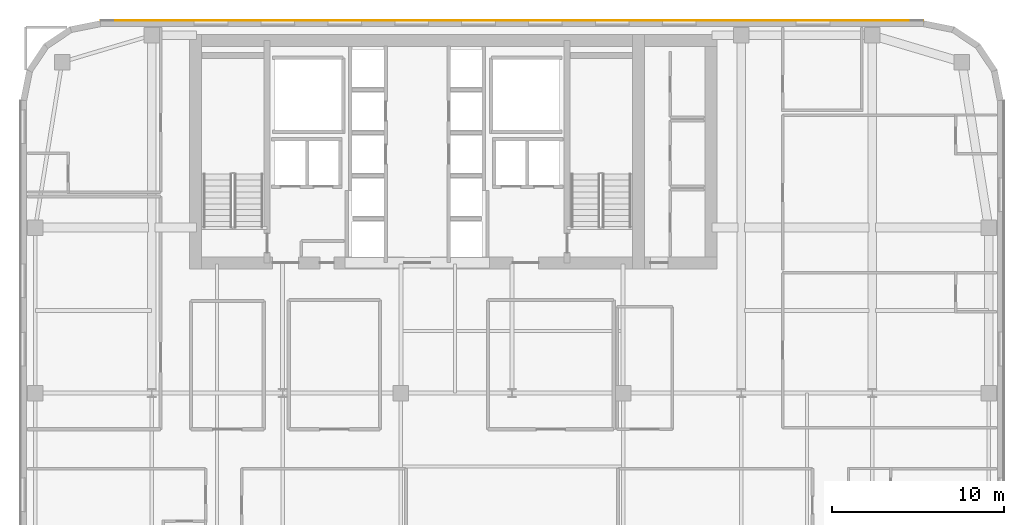
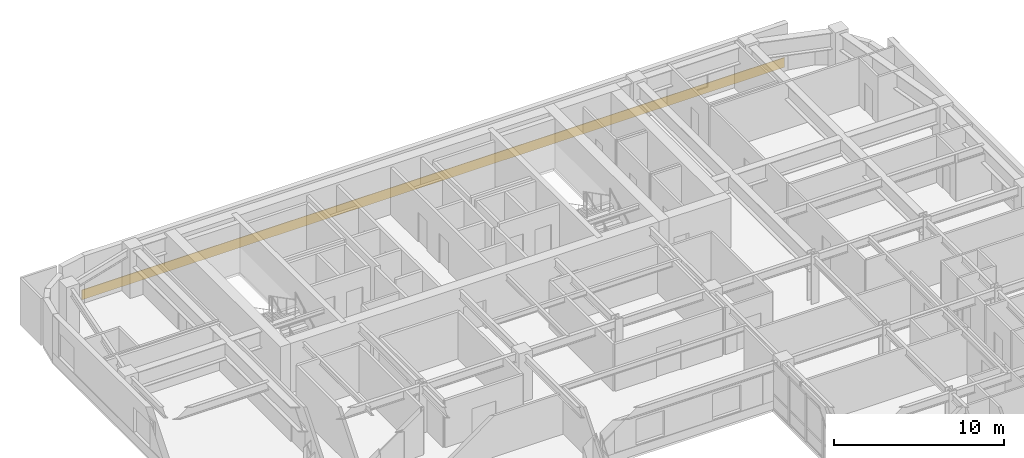
# One storey, part 24 of 25: 1 covering.
"""IFC4 building model written with IfcOpenShell, lengths in metres."""

from ifc_helpers import new_model, si_unit, direction, frame, origin, place, context, subcontext, project, spatial, polyline, outline, extrude, material, layer, layer_set, type_object, element, save


model = new_model("IFC4")

# Units and contexts
model_context = context("Model", 3, precision=1e-05, world=origin(), true_north=direction((0.0, 1.0)))
body_context = subcontext(model_context, "Body", "Model", "MODEL_VIEW")
ifc_project = project(units=[si_unit("LENGTHUNIT", "METRE"), si_unit("AREAUNIT", "SQUARE_METRE"), si_unit("VOLUMEUNIT", "CUBIC_METRE"), si_unit("PLANEANGLEUNIT", "RADIAN"), si_unit("MASSUNIT", "GRAM", prefix="KILO")], contexts=[model_context])

# Site, building, storey
site_placement = place(None, origin())
site = spatial("IfcSite", under=ifc_project, at=site_placement, CompositionType="ELEMENT")
building_placement = place(site_placement, origin())
building = spatial("IfcBuilding", under=site, at=building_placement, Name="Tolvann Quenvar Hotel", CompositionType="ELEMENT")
storey_placement = place(building_placement, frame((0.0, 0.0, 132.85009765625)))
storey = spatial("IfcBuildingStorey", under=building, at=storey_placement, Name="L34", CompositionType="ELEMENT", Elevation=132.85009765625)

# Covering
ifc_material = material(Name="Moulded buff architectural terracotta spandrel cladding", Category="masonry")
ifc_layer = layer(ifc_material, 0.0400390625)
ifc_layer_set = layer_set([ifc_layer], Name="Moulded buff architectural terracotta spandrel cladding")
covering_type = type_object("IfcCoveringType", Name="COV_CLAD_TERRA_40", PredefinedType="CLADDING", material=ifc_layer_set)
covering_placement = place(storey_placement, origin())
element("IfcCovering", 1, at=covering_placement, inside=storey, type_object=covering_type, Name="Terracotta Spandrel Cladding (L34-E18)", PredefinedType="CLADDING", context=body_context, shape_type="SweptSolid", body=[
    extrude(outline(polyline([(52.3427734375, 46.0), (4.6572265625, 46.0), (4.6572265625, 46.0400390625), (52.3427734375, 46.0400390625), (52.3427734375, 46.0)])), origin(), (0.0, 0.0, 1.0), 0.699951171875),
])

save(model, "model.ifc")
